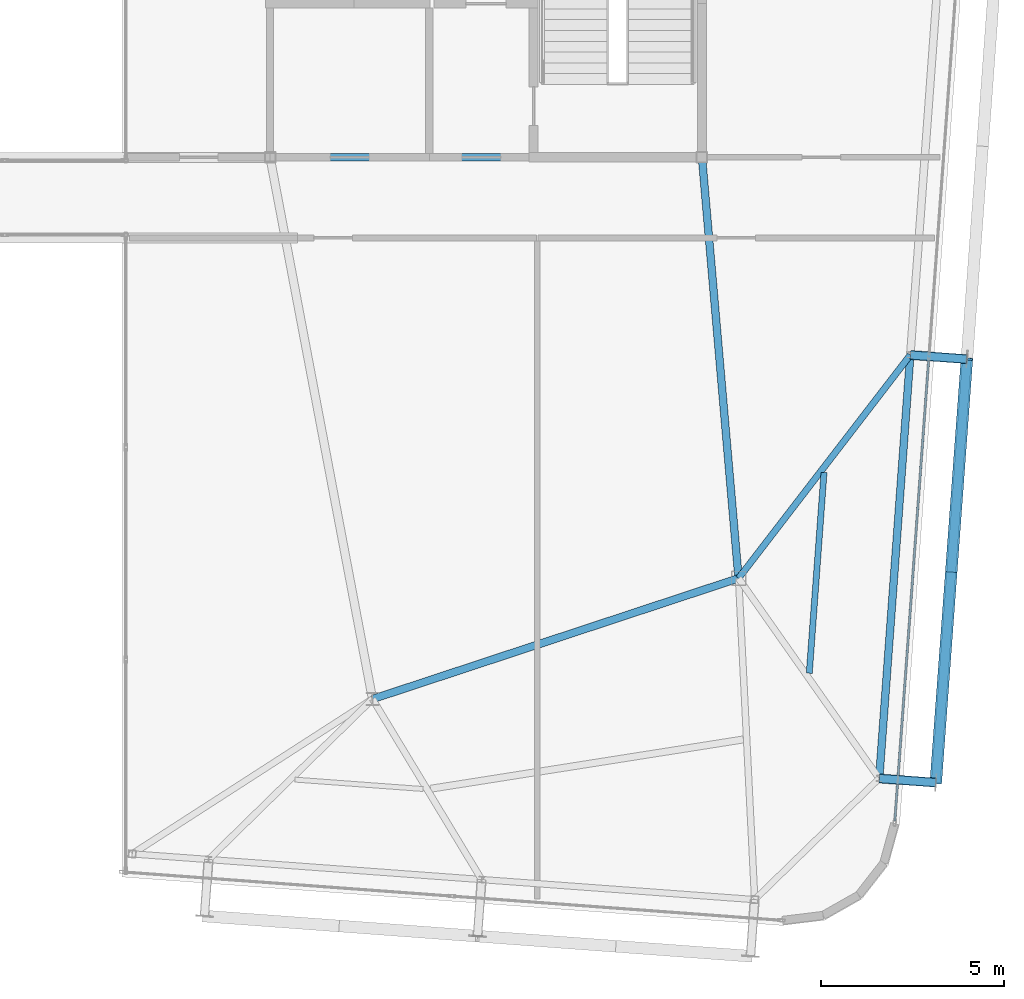
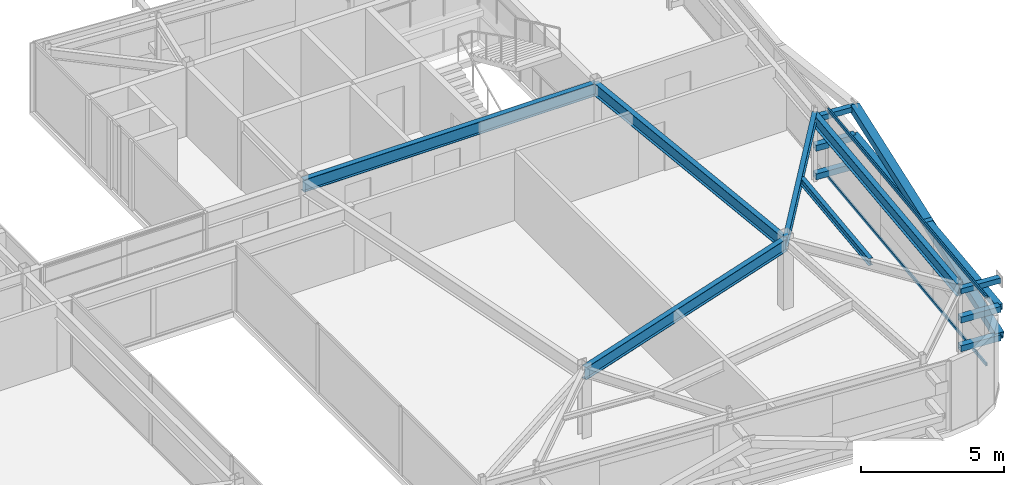
# One storey, part 20 of 39: 11 members, 6 beams, 1 element without a shape of its own.
"""IFC4 building model written with IfcOpenShell, lengths in metres."""

import ifcopenshell
import ifcopenshell.guid

model = None  # the IFC model being written
_history = None  # IfcOwnerHistory: only IFC2X3 demands one
_inside = {}  # id of a spatial element -> (the spatial element, [elements in it])
_under = {}  # id of a project, library or spatial element -> (it, [spatial elements below it])
_declared = {}  # id of a project -> (the project, [libraries it declares])
_typed = {}  # id of a type object -> (the type object, [elements of that type])
_made_of = {}  # id of a material, layer set ... -> (it, [elements and type objects made of it])


def new_model(schema):
    """Start an empty IFC model of exactly this schema.

    Asked for "IFC4X3", IfcOpenShell would pick the latest addendum, in which some entities
    have other attributes; the version numbers below select the first issue.
    IFC2X3 requires an IfcOwnerHistory on every rooted entity: one is made here for all.
    """
    global model, _history
    if schema == "IFC4X3":
        model = ifcopenshell.file(schema_version=(4, 3, 0, 0))
    else:
        model = ifcopenshell.file(schema=schema)
    _inside.clear()
    _under.clear()
    _declared.clear()
    _typed.clear()
    _made_of.clear()
    _history = None
    if model.schema == "IFC2X3":
        org = make("IfcOrganization", Name="unknown")
        user = make(
            "IfcPersonAndOrganization",
            ThePerson=make("IfcPerson", FamilyName="unknown"),
            TheOrganization=org,
        )
        app = make(
            "IfcApplication",
            ApplicationDeveloper=org,
            Version="unknown",
            ApplicationFullName="unknown",
            ApplicationIdentifier="unknown",
        )
        _history = make(
            "IfcOwnerHistory",
            OwningUser=user,
            OwningApplication=app,
            ChangeAction="ADDED",
            CreationDate=0,
        )
    return model


def make(cls, **values):
    """One entity of the class cls with the attributes given. An attribute that is None is left unset."""
    return model.create_entity(
        cls, **{name: value for name, value in values.items() if value is not None}
    )


def rooted(cls, **values):
    """An entity with a GlobalId (a new one), such as an element, a storey or a relation."""
    return make(cls, GlobalId=ifcopenshell.guid.new(), OwnerHistory=_history, **values)


def si_unit(unit_type, name, prefix=None):
    """IfcSIUnit, for example si_unit("LENGTHUNIT", "METRE", prefix="MILLI")."""
    return make("IfcSIUnit", UnitType=unit_type, Prefix=prefix, Name=name)


def assignment(units):
    """IfcUnitAssignment: the units of a project."""
    return None if units is None else make("IfcUnitAssignment", Units=units)


def point(xyz):
    """IfcCartesianPoint."""
    return None if xyz is None else make("IfcCartesianPoint", Coordinates=xyz)


def direction(xyz):
    """IfcDirection."""
    return None if xyz is None else make("IfcDirection", DirectionRatios=xyz)


def frame(location, z_axis=None, x_axis=None):
    """IfcAxis2Placement3D, a coordinate frame: its origin and axes. An axis left out is left unset."""
    return make(
        "IfcAxis2Placement3D",
        Location=point(location),
        Axis=direction(z_axis),
        RefDirection=direction(x_axis),
    )


def frame_2d(location, x_axis=None):
    """IfcAxis2Placement2D, a coordinate frame in the plane: its origin and x axis."""
    return make(
        "IfcAxis2Placement2D", Location=point(location), RefDirection=direction(x_axis)
    )


def origin():
    """The frame at (0, 0, 0) with its axes left unset."""
    return frame((0.0, 0.0, 0.0))


def origin_2d():
    """The frame at (0, 0) in the plane with its x axis left unset."""
    return frame_2d((0.0, 0.0))


def place(relative_to, where):
    """IfcLocalPlacement: puts the frame where relative to a parent placement (None: the world)."""
    return make(
        "IfcLocalPlacement", PlacementRelTo=relative_to, RelativePlacement=where
    )


def context(
    kind, dimensions, precision=None, world=None, true_north=None, identifier=None
):
    """IfcGeometricRepresentationContext, for example the 3D "Model" context."""
    return make(
        "IfcGeometricRepresentationContext",
        ContextIdentifier=identifier,
        ContextType=kind,
        CoordinateSpaceDimension=dimensions,
        Precision=precision,
        WorldCoordinateSystem=world,
        TrueNorth=true_north,
    )


def subcontext(parent, identifier, kind, view, scale=None):
    """IfcGeometricRepresentationSubContext, for example "Body" below "Model"."""
    return make(
        "IfcGeometricRepresentationSubContext",
        ContextIdentifier=identifier,
        ContextType=kind,
        ParentContext=parent,
        TargetScale=scale,
        TargetView=view,
    )


def project(units=None, contexts=None):
    """IfcProject with its units and contexts."""
    return rooted(
        "IfcProject",
        Name="project",
        RepresentationContexts=contexts,
        UnitsInContext=assignment(units),
    )


def spatial(cls, under=None, at=None, **own):
    """A site, building, storey or space (cls), placed at a placement, below another one or the project."""
    s = rooted(cls, ObjectPlacement=at, **own)
    if under is not None:
        _under.setdefault(under.id(), (under, []))[1].append(s)
    return s


def profile(cls, at=None, kind="AREA", **sizes):
    """A parametric profile (cls). Its sizes go by their IFC names, for example OverallWidth=200.0."""
    return make(cls, ProfileType=kind, Position=at, **sizes)


def hollow_rectangle(**sizes):
    """IfcRectangleHollowProfileDef."""
    return profile("IfcRectangleHollowProfileDef", **sizes)


def i_section(**sizes):
    """IfcIShapeProfileDef."""
    return profile("IfcIShapeProfileDef", **sizes)


def extrude(swept, where, along, depth):
    """IfcExtrudedAreaSolid: the profile swept, set in the frame where, extruded along a direction by depth."""
    return make(
        "IfcExtrudedAreaSolid",
        SweptArea=swept,
        Position=where,
        ExtrudedDirection=direction(along),
        Depth=depth,
    )


def shape(context_of_items, identifier, shape_type, items):
    """IfcShapeRepresentation: the items that make up one representation, for example the "Body"."""
    return make(
        "IfcShapeRepresentation",
        ContextOfItems=context_of_items,
        RepresentationIdentifier=identifier,
        RepresentationType=shape_type,
        Items=items,
    )


def source(mapping_origin, context_of_items, identifier, shape_type, items):
    """IfcRepresentationMap: a shape defined once, which mapped items show again and again."""
    return make(
        "IfcRepresentationMap",
        MappingOrigin=mapping_origin,
        MappedRepresentation=shape(context_of_items, identifier, shape_type, items),
    )


def transform(
    local_origin,
    x_axis=None,
    y_axis=None,
    z_axis=None,
    scale=None,
    scale2=None,
    scale3=None,
    uniform=True,
):
    """IfcCartesianTransformationOperator3D, or its non-uniform kind. x_axis, y_axis, z_axis: its Axis1, 2, 3."""
    if uniform:
        return make(
            "IfcCartesianTransformationOperator3D",
            Axis1=direction(x_axis),
            Axis2=direction(y_axis),
            LocalOrigin=point(local_origin),
            Scale=scale,
            Axis3=direction(z_axis),
        )
    return make(
        "IfcCartesianTransformationOperator3DnonUniform",
        Axis1=direction(x_axis),
        Axis2=direction(y_axis),
        LocalOrigin=point(local_origin),
        Scale=scale,
        Axis3=direction(z_axis),
        Scale2=scale2,
        Scale3=scale3,
    )


def mapped(mapping_source, mapping_target):
    """IfcMappedItem: shows the shape of a source again, moved by a transform."""
    return make(
        "IfcMappedItem", MappingSource=mapping_source, MappingTarget=mapping_target
    )


def material(Name=None, Category=None):
    """IfcMaterial."""
    return make("IfcMaterial", Name=Name, Category=Category)


def layer(
    of_material, thickness, ventilated=None, Name=None, Category=None, Priority=None
):
    """IfcMaterialLayer: one layer of a wall or slab, of a material (None: an air gap)."""
    return make(
        "IfcMaterialLayer",
        Material=of_material,
        LayerThickness=thickness,
        IsVentilated=ventilated,
        Name=Name,
        Category=Category,
        Priority=Priority,
    )


def layer_set(layers, Name=None):
    """IfcMaterialLayerSet."""
    return make("IfcMaterialLayerSet", MaterialLayers=layers, LayerSetName=Name)


def material_profile(
    of_material, cross_section, Name=None, Category=None, Priority=None
):
    """IfcMaterialProfile: a cross section and its material."""
    return make(
        "IfcMaterialProfile",
        Name=Name,
        Material=of_material,
        Profile=cross_section,
        Priority=Priority,
        Category=Category,
    )


def profile_set(profiles, Name=None, composite=None):
    """IfcMaterialProfileSet."""
    return make(
        "IfcMaterialProfileSet",
        Name=Name,
        MaterialProfiles=profiles,
        CompositeProfile=composite,
    )


def made_of(thing, what):
    """Note that an element or type object is made of a material, layer set ...; save() writes the relation."""
    if what is not None:
        _made_of.setdefault(what.id(), (what, []))[1].append(thing)
    return thing


def type_object(cls, material=None, **own):
    """A type object (cls), such as IfcWallType, which elements share."""
    return made_of(rooted(cls, **own), material)


def element(
    cls,
    number,
    at=None,
    inside=None,
    cuts=None,
    type_object=None,
    material=None,
    context=None,
    identifier="Body",
    shape_type=None,
    held_by="IfcProductDefinitionShape",
    body=None,
    shapes=None,
    **own,
):
    """One element of the class cls, such as IfcWall. Its Tag is "e" and its number.

    at: its placement. inside: the storey or other place that contains it. cuts: it is an
    opening in that element (IfcRelVoidsElement). A single representation is given by context,
    identifier, shape_type and body (its items); several are given by shapes. held_by: the class
    of the entity that holds the representations. save() writes the other relations.
    """
    e = rooted(cls, Tag="e%d" % number, ObjectPlacement=at, **own)
    if body is not None:
        shapes = [shape(context, identifier, shape_type, body)]
    if shapes is not None:
        e.Representation = make(held_by, Representations=shapes)
    if inside is not None:
        _inside.setdefault(inside.id(), (inside, []))[1].append(e)
    if cuts is not None:
        rooted(
            "IfcRelVoidsElement", RelatingBuildingElement=cuts, RelatedOpeningElement=e
        )
    if type_object is not None:
        _typed.setdefault(type_object.id(), (type_object, []))[1].append(e)
    return made_of(e, material)


def aggregate(whole, parts):
    """IfcRelAggregates: a whole, such as a stair, and the parts it consists of."""
    return rooted("IfcRelAggregates", RelatingObject=whole, RelatedObjects=parts)


def save(model, path):
    """Write the relations noted so far, then the file.

    IfcRelAggregates (storeys below a building ...), IfcRelContainedInSpatialStructure (elements
    in a storey), IfcRelDefinesByType, IfcRelAssociatesMaterial and IfcRelDeclares: one each for
    every whole, place, type object, material and project.
    """
    for whole, parts in _under.values():
        aggregate(whole, parts)
    for where, things in _inside.values():
        rooted(
            "IfcRelContainedInSpatialStructure",
            RelatedElements=things,
            RelatingStructure=where,
        )
    for kind, things in _typed.values():
        rooted("IfcRelDefinesByType", RelatedObjects=things, RelatingType=kind)
    for what, things in _made_of.values():
        rooted("IfcRelAssociatesMaterial", RelatedObjects=things, RelatingMaterial=what)
    for by, libraries in _declared.values():
        rooted("IfcRelDeclares", RelatingContext=by, RelatedDefinitions=libraries)
    model.write(path)


model = new_model("IFC4")

# Units and contexts
model_context = context("Model", 3, precision=1e-05, world=origin(), true_north=direction((0.0, 1.0)))
body_context = subcontext(model_context, "Body", "Model", "MODEL_VIEW")
ifc_project = project(units=[si_unit("LENGTHUNIT", "METRE"), si_unit("AREAUNIT", "SQUARE_METRE"), si_unit("VOLUMEUNIT", "CUBIC_METRE"), si_unit("PLANEANGLEUNIT", "RADIAN"), si_unit("MASSUNIT", "GRAM", prefix="KILO")], contexts=[model_context])

# Site, building, storey
site_placement = place(None, origin())
site = spatial("IfcSite", under=ifc_project, at=site_placement, CompositionType="ELEMENT")
building_placement = place(site_placement, origin())
building = spatial("IfcBuilding", under=site, at=building_placement, Name="Taldren Reach Tower", CompositionType="ELEMENT")
storey_placement = place(building_placement, frame((0.0, 0.0, 230.300048828125)))
storey = spatial("IfcBuildingStorey", under=building, at=storey_placement, Name="L70", CompositionType="ELEMENT", Elevation=230.300048828125)

# Beams
ifc_material_1 = material(Name="Steel Gr 350 (350PLUS)", Category="steel")
ifc_material_profile_1 = material_profile(ifc_material_1, i_section(OverallWidth=0.208984375, OverallDepth=0.532958984375, WebThickness=0.01025390625, FlangeThickness=0.015625, at=origin_2d()), Name="530UB92.4")
ifc_profile_set_1 = profile_set([ifc_material_profile_1], Name="Steel Gr 350 (350PLUS)")
beam_type_1 = type_object("IfcBeamType", Name="BM-UB530A", PredefinedType="BEAM", material=ifc_profile_set_1)
shared_shape_1 = source(origin(), body_context, "Body", "SweptSolid", [
    extrude(i_section(OverallWidth=0.208984375, OverallDepth=0.532958984375, WebThickness=0.01025390625, FlangeThickness=0.015625, at=origin_2d()), origin(), (0.0, 0.0, 1.0), 11.800048828125),
])
beam_1_placement = place(storey_placement, frame((39.199951171875, 24.0, 2.663330078125), z_axis=(1.0, 0.0, 0.0), x_axis=(0.0, 1.0, 0.0)))
element("IfcBeam", 1, at=beam_1_placement, inside=storey, type_object=beam_type_1, Name="Core-spine girder L70-SP03", PredefinedType="BEAM", context=body_context, shape_type="MappedRepresentation", body=[
    mapped(shared_shape_1, transform((0.0, 0.0, 0.0), scale=1.0)),
])
shared_shape_2 = source(origin(), body_context, "Body", "SweptSolid", [
    extrude(i_section(OverallWidth=0.208984375, OverallDepth=0.532958984375, WebThickness=0.01025390625, FlangeThickness=0.015625, at=origin_2d()), origin(), (0.0, 0.0, 1.0), 11.54345703125),
])
beam_2_placement = place(storey_placement, frame((52.0, 12.5, 2.663330078125), z_axis=(-0.086629616365, 0.996240588196, 0.0), x_axis=(-0.996240588196, -0.086629616365, 0.0)))
element("IfcBeam", 2, at=beam_2_placement, inside=storey, type_object=beam_type_1, Name="Core-spine girder L70-SP13", PredefinedType="BEAM", context=body_context, shape_type="MappedRepresentation", body=[
    mapped(shared_shape_2, transform((0.0, 0.0, 0.0), scale=1.0)),
])
shared_shape_3 = source(origin(), body_context, "Body", "SweptSolid", [
    extrude(i_section(OverallWidth=0.208984375, OverallDepth=0.532958984375, WebThickness=0.01025390625, FlangeThickness=0.015625, at=origin_2d()), origin(), (0.0, 0.0, 1.0), 10.530517578125),
])
beam_3_placement = place(storey_placement, frame((42.0, 9.199951171875, 2.663330078125), z_axis=(0.949627269203, 0.313381635689, 0.0), x_axis=(-0.313381635689, 0.949627269203, 0.0)))
element("IfcBeam", 3, at=beam_3_placement, inside=storey, type_object=beam_type_1, Name="Core-spine girder L70-SP12", PredefinedType="BEAM", context=body_context, shape_type="MappedRepresentation", body=[
    mapped(shared_shape_3, transform((0.0, 0.0, 0.0), scale=1.0)),
])
ifc_material_profile_2 = material_profile(ifc_material_1, i_section(OverallWidth=0.208984375, OverallDepth=0.528076171875, WebThickness=0.009521484375, FlangeThickness=0.01318359375, at=origin_2d()), Name="530UB82.0")
ifc_profile_set_2 = profile_set([ifc_material_profile_2], Name="Steel Gr 350 (350PLUS)")
beam_type_2 = type_object("IfcBeamType", Name="SP-UB530B", PredefinedType="SPANDREL", material=ifc_profile_set_2)
shared_shape_4 = source(origin(), body_context, "Body", "SweptSolid", [
    extrude(i_section(OverallWidth=0.208984375, OverallDepth=0.528076171875, WebThickness=0.009521484375, FlangeThickness=0.01318359375, at=origin_2d()), origin(), (0.0, 0.0, 1.0), 11.60009765625),
])
beam_4_placement = place(storey_placement, frame((55.841796875, 7.031005859375, 2.666015625), z_axis=(0.073242167855, 0.997314185625, 0.0), x_axis=(-0.997314185625, 0.073242167855, 0.0)))
element("IfcBeam", 4, at=beam_4_placement, inside=storey, type_object=beam_type_2, Name="Perimeter spandrel B5 E1-E2 L70", PredefinedType="SPANDREL", context=body_context, shape_type="MappedRepresentation", body=[
    mapped(shared_shape_4, transform((0.0, 0.0, 0.0), scale=1.0)),
])
ifc_material_profile_3 = material_profile(ifc_material_1, i_section(OverallWidth=0.177978515625, OverallDepth=0.406005859375, WebThickness=0.0078125, FlangeThickness=0.0126953125, at=origin_2d()), Name="410UB59.7")
ifc_profile_set_3 = profile_set([ifc_material_profile_3], Name="Steel Gr 350 (350PLUS)")
beam_type_3 = type_object("IfcBeamType", Name="BM-UB410", PredefinedType="BEAM", material=ifc_profile_set_3)
shared_shape_5 = source(origin(), body_context, "Body", "SweptSolid", [
    extrude(i_section(OverallWidth=0.177978515625, OverallDepth=0.406005859375, WebThickness=0.0078125, FlangeThickness=0.0126953125, at=origin_2d()), origin(), (0.0, 0.0, 1.0), 7.6953125),
])
beam_5_placement = place(storey_placement, frame((52.0, 12.5, 2.72705078125), z_axis=(0.609646363361, 0.792673521471, 0.0), x_axis=(-0.792673521471, 0.609646363361, 0.0)))
element("IfcBeam", 5, at=beam_5_placement, inside=storey, type_object=beam_type_3, Name="Primary floor girder B5-E2 L70", PredefinedType="BEAM", context=body_context, shape_type="MappedRepresentation", body=[
    mapped(shared_shape_5, transform((0.0, 0.0, 0.0), scale=1.0)),
])
ifc_material_2 = material(Name="Steel Gr 300 (300PLUS, 300 MPa)", Category="steel")
ifc_material_profile_4 = material_profile(ifc_material_2, i_section(OverallWidth=0.166015625, OverallDepth=0.306884765625, WebThickness=0.006591796875, FlangeThickness=0.01171875, at=origin_2d()), Name="310UB46.2")
ifc_profile_set_4 = profile_set([ifc_material_profile_4], Name="Steel Gr 300 (300PLUS, 300 MPa)")
beam_type_4 = type_object("IfcBeamType", Name="JS-UB310", PredefinedType="JOIST", material=ifc_profile_set_4)
shared_shape_6 = source(origin(), body_context, "Body", "SweptSolid", [
    extrude(i_section(OverallWidth=0.166015625, OverallDepth=0.306884765625, WebThickness=0.006591796875, FlangeThickness=0.01171875, at=origin_2d()), origin(), (0.0, 0.0, 1.0), 5.49755859375),
])
beam_6_placement = place(storey_placement, frame((53.93115234375, 9.905517578125, 2.7763671875), z_axis=(0.073228814191, 0.99731516622, 0.0), x_axis=(-0.99731516622, 0.073228814191, 0.0)))
element("IfcBeam", 6, at=beam_6_placement, inside=storey, type_object=beam_type_4, Name="Secondary floor joist B5 J7 L70", PredefinedType="JOIST", context=body_context, shape_type="MappedRepresentation", body=[
    mapped(shared_shape_6, transform((0.0, 0.0, 0.0), scale=1.0)),
])

# Members
ifc_material_3 = material(Name="Steel Gr 450 (C450L0)", Category="steel")
ifc_material_profile_5 = material_profile(ifc_material_3, hollow_rectangle(XDim=0.219970703125, YDim=0.219970703125, WallThickness=0.00830078125, at=origin_2d()), Name="220x220x8.2SHS")
ifc_profile_set_5 = profile_set([ifc_material_profile_5], Name="Steel Gr 450 (C450L0)")
member_type_1 = type_object("IfcMemberType", Name="MB-TIE219", PredefinedType="STRUT", material=ifc_profile_set_5)
shared_shape_7 = source(origin(), body_context, "Body", "SweptSolid", [
    extrude(hollow_rectangle(XDim=0.219970703125, YDim=0.219970703125, WallThickness=0.00830078125, at=origin_2d()), origin(), (0.0, 0.0, 1.0), 1.5458984375),
])
member_1_placement = place(storey_placement, frame((56.6953125, 18.599365234375, 2.64990234375), z_axis=(0.99732305975, -0.073121231459, 0.0), x_axis=(0.073121231459, 0.99732305975, 0.0)))
element("IfcMember", 7, at=member_1_placement, inside=storey, type_object=member_type_1, Name="Exoskeleton diaphragm tie strut B5-E2 L70", PredefinedType="STRUT", context=body_context, shape_type="MappedRepresentation", body=[
    mapped(shared_shape_7, transform((0.0, 0.0, 0.0), scale=1.0)),
])
shared_shape_8 = source(origin(), body_context, "Body", "SweptSolid", [
    extrude(hollow_rectangle(XDim=0.219970703125, YDim=0.219970703125, WallThickness=0.00830078125, at=origin_2d()), origin(), (0.0, 0.0, 1.0), 1.546142578125),
])
member_2_placement = place(storey_placement, frame((55.845703125, 7.030517578125, 2.64990234375), z_axis=(0.997323903953, -0.073109716202, 0.0), x_axis=(0.073109716202, 0.997323903953, 0.0)))
element("IfcMember", 8, at=member_2_placement, inside=storey, type_object=member_type_1, Name="Exoskeleton diaphragm tie strut B5-E1 L70", PredefinedType="STRUT", context=body_context, shape_type="MappedRepresentation", body=[
    mapped(shared_shape_8, transform((0.0, 0.0, 0.0), scale=1.0)),
])
ifc_material_profile_6 = material_profile(ifc_material_3, hollow_rectangle(XDim=0.324951171875, YDim=0.324951171875, WallThickness=0.0126953125, at=origin_2d()), Name="325x325x12.7SHS")
ifc_profile_set_6 = profile_set([ifc_material_profile_6], Name="Steel Gr 450 (C450L0)")
member_type_2 = type_object("IfcMemberType", Name="MB-BR324", PredefinedType="BRACE", material=ifc_profile_set_6)
shared_shape_9 = source(origin(), body_context, "Body", "SweptSolid", [
    extrude(hollow_rectangle(XDim=0.324951171875, YDim=0.324951171875, WallThickness=0.0126953125, at=origin_2d()), origin(), (0.0, 0.0, 1.0), 5.92578125),
])
for number, where, z_axis, x_axis, name in (
    (9, (57.3876953125, 6.91748046875, 0.219970703125), (0.071644948114, 0.976126368983, 0.205047099921), (-0.997317259472, 0.073200300267, 0.0), "Exoskeleton Diagrid Brace B5-E1 L70"),
    (10, (57.812255859375, 12.701904296875, 1.43505859375), (0.071686540919, 0.976131732187, 0.205007027365), (-0.997314185625, 0.073242167855, 0.0), "Exoskeleton Diagrid Brace B5-E1 L70"),
):
    element("IfcMember", number, at=place(storey_placement, frame(where, z_axis=z_axis, x_axis=x_axis)), inside=storey, type_object=member_type_2, Name=name, PredefinedType="BRACE", context=body_context, shape_type="MappedRepresentation", body=[
        mapped(shared_shape_9, transform((0.0, 0.0, 0.0), scale=1.0)),
    ])
ifc_material_4 = material(Name="Steel Gr 350 (C350L0)", Category="steel")
ifc_material_profile_7 = material_profile(ifc_material_4, hollow_rectangle(XDim=0.25, YDim=0.25, WallThickness=0.010009765625, at=origin_2d()), Name="250x250x10.0SHS")
ifc_profile_set_7 = profile_set([ifc_material_profile_7], Name="Steel Gr 350 (C350L0)")
member_type_3 = type_object("IfcMemberType", Name="MB-POST250", PredefinedType="POST", material=ifc_profile_set_7)
shared_shape_10 = source(origin(), body_context, "Body", "SweptSolid", [
    extrude(hollow_rectangle(XDim=0.25, YDim=0.25, WallThickness=0.010009765625, at=origin_2d()), origin(), (0.0, 0.0, 1.0), 11.60009765625),
])
member_3_placement = place(storey_placement, frame((57.3876953125, 6.91748046875, 1.43505859375), z_axis=(0.073221234109, 0.997315722766, 0.0), x_axis=(-0.997315722766, 0.073221234109, 0.0)))
element("IfcMember", 11, at=member_3_placement, inside=storey, type_object=member_type_3, Name="Exoskeleton mid-height ring chord B5-E1 L70", PredefinedType="POST", context=body_context, shape_type="MappedRepresentation", body=[
    mapped(shared_shape_10, transform((0.0, 0.0, 0.0), scale=1.0)),
])
shared_shape_11 = source(origin(), body_context, "Body", "SweptSolid", [
    extrude(hollow_rectangle(XDim=0.25, YDim=0.25, WallThickness=0.010009765625, at=origin_2d()), origin(), (0.0, 0.0, 1.0), 1.5458984375),
])
for number, where, z_axis, x_axis, name in (
    (12, (56.6953125, 18.599365234375, 0.219970703125), (0.99732305975, -0.073121231459, 0.0), (0.073121231459, 0.99732305975, 0.0), "Exoskeleton base diaphragm tie strut B5-E2 L70"),
    (13, (56.6953125, 18.599365234375, 1.43505859375), (0.99732305975, -0.073121231459, 0.0), (0.073121231459, 0.99732305975, 0.0), "Exoskeleton mid-tier diaphragm tie B5-E2 L70"),
):
    element("IfcMember", number, at=place(storey_placement, frame(where, z_axis=z_axis, x_axis=x_axis)), inside=storey, type_object=member_type_3, Name=name, PredefinedType="POST", context=body_context, shape_type="MappedRepresentation", body=[
        mapped(shared_shape_11, transform((0.0, 0.0, 0.0), scale=1.0)),
    ])
shared_shape_12 = source(origin(), body_context, "Body", "SweptSolid", [
    extrude(hollow_rectangle(XDim=0.25, YDim=0.25, WallThickness=0.010009765625, at=origin_2d()), origin(), (0.0, 0.0, 1.0), 1.546142578125),
])
for number, where, z_axis, x_axis, name in (
    (14, (55.845703125, 7.030517578125, 0.219970703125), (0.997323903953, -0.073109716202, 0.0), (0.073109716202, 0.997323903953, 0.0), "Exoskeleton base diaphragm tie strut B5-E1 L70"),
    (15, (55.845703125, 7.030517578125, 1.43505859375), (0.997323903953, -0.073109716202, 0.0), (0.073109716202, 0.997323903953, 0.0), "Exoskeleton mid-tier diaphragm tie B5-E1 L70"),
):
    element("IfcMember", number, at=place(storey_placement, frame(where, z_axis=z_axis, x_axis=x_axis)), inside=storey, type_object=member_type_3, Name=name, PredefinedType="POST", context=body_context, shape_type="MappedRepresentation", body=[
        mapped(shared_shape_12, transform((0.0, 0.0, 0.0), scale=1.0)),
    ])

# Curtain wall, members
ifc_material_5 = material(Name="Aluminium and Low-E Glass Unitised System", Category="aluminium")
ifc_layer = layer(ifc_material_5, 0.159912109375)
ifc_layer_set = layer_set([ifc_layer], Name="Aluminium and Low-E Glass Unitised System")
curtain_wall_type = type_object("IfcCurtainWallType", Name="CW-SYS-7", PredefinedType="NOTDEFINED", material=ifc_layer_set)
curtain_wall_placement = place(storey_placement, origin())
curtain_wall = element("IfcCurtainWall", 16, at=curtain_wall_placement, inside=storey, type_object=curtain_wall_type, Name="Unitised curtain wall CW-L70-E", PredefinedType="NOTDEFINED")
ifc_material_6 = material(Name="Anodised Aluminium 6063-T6", Category="aluminium")
ifc_material_profile_8 = material_profile(ifc_material_6, hollow_rectangle(XDim=0.06005859375, YDim=0.135009765625, WallThickness=0.00341796875, at=origin_2d()), Name="ALU-135x60x3.5RHS")
ifc_profile_set_8 = profile_set([ifc_material_profile_8], Name="Anodised Aluminium 6063-T6")
member_type_4 = type_object("IfcMemberType", Name="CW-TRN-150", PredefinedType="USERDEFINED", material=ifc_profile_set_8)
shared_shape_13 = source(origin(), body_context, "Body", "SweptSolid", [
    extrude(hollow_rectangle(XDim=0.06005859375, YDim=0.135009765625, WallThickness=0.00341796875, at=origin_2d()), origin(), (0.0, 0.0, 1.0), 12.6875),
])
member_4_placement = place(storey_placement, frame((56.26806640625, 5.87158203125, 0.030029296875), z_axis=(0.073237997916, 0.997314491854, 0.0), x_axis=(-0.997314491854, 0.073237997916, 0.0)))
member_4 = element("IfcMember", 17, at=member_4_placement, type_object=member_type_4, Name="CW-7 transom 1.1", ObjectType="TRANSOM", PredefinedType="USERDEFINED", context=body_context, shape_type="MappedRepresentation", body=[
    mapped(shared_shape_13, transform((0.0, 0.0, 0.0), scale=1.0)),
])
member_5_placement = place(storey_placement, frame((56.26806640625, 5.87158203125, 2.89990234375), z_axis=(0.073237997916, 0.997314491854, 0.0), x_axis=(-0.997314491854, 0.073237997916, 0.0)))
member_5 = element("IfcMember", 18, at=member_5_placement, type_object=member_type_4, Name="CW-7 transom 1.2", ObjectType="TRANSOM", PredefinedType="USERDEFINED", context=body_context, shape_type="MappedRepresentation", body=[
    mapped(shared_shape_13, transform((0.0, 0.0, 0.0), scale=1.0)),
])
aggregate(curtain_wall, [member_4, member_5])

save(model, "model.ifc")
